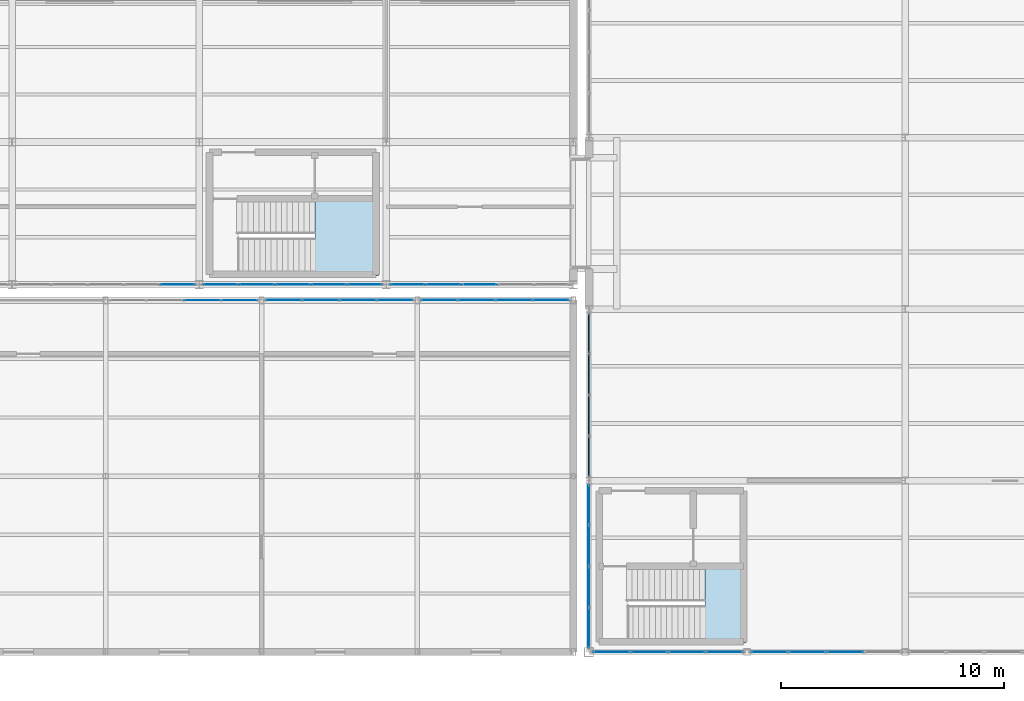
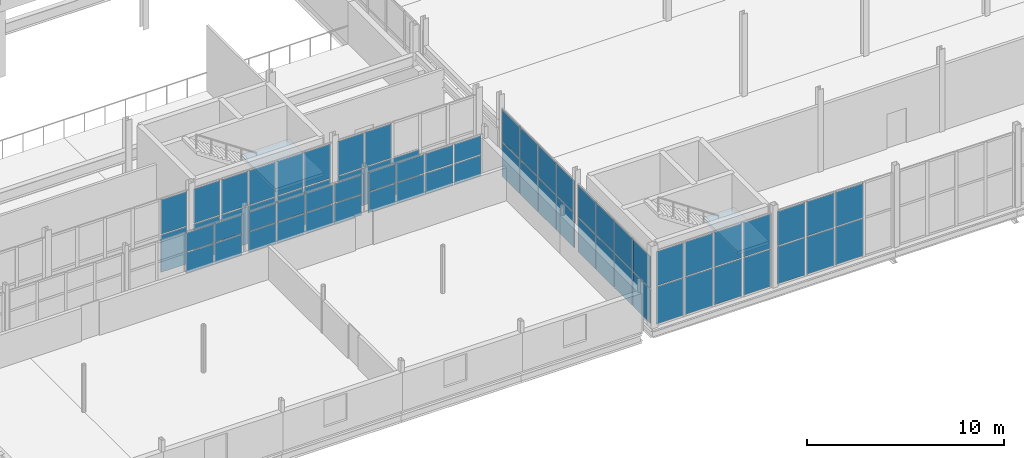
# One storey, part 186 of 218: 67 plates, 2 slabs, 12 elements without a shape of their own.
"""IFC4 building model written with IfcOpenShell, lengths in metres."""

from ifc_helpers import new_model, si_unit, direction, frame, origin, origin_2d, place, context, subcontext, project, spatial, polyline, rectangle, outline, extrude, material, layer, layer_set, type_object, element, aggregate, save


model = new_model("IFC4")

# Units and contexts
model_context = context("Model", 3, precision=1e-05, world=origin(), true_north=direction((0.0, 1.0)))
body_context = subcontext(model_context, "Body", "Model", "MODEL_VIEW")
ifc_project = project(units=[si_unit("LENGTHUNIT", "METRE"), si_unit("AREAUNIT", "SQUARE_METRE"), si_unit("VOLUMEUNIT", "CUBIC_METRE"), si_unit("PLANEANGLEUNIT", "RADIAN"), si_unit("MASSUNIT", "GRAM", prefix="KILO")], contexts=[model_context])

# Site, building, storey
site_placement = place(None, origin())
site = spatial("IfcSite", under=ifc_project, at=site_placement, CompositionType="ELEMENT")
building_placement = place(site_placement, origin())
building = spatial("IfcBuilding", under=site, at=building_placement, Name="Kazenagashi Tramway Depot", CompositionType="ELEMENT")
storey_placement = place(building_placement, frame((0.0, 0.0, 6.0)))
storey = spatial("IfcBuildingStorey", under=building, at=storey_placement, Name="L02", CompositionType="ELEMENT", Elevation=6.0)

# Curtain wall, plates
ifc_material_1 = material(Name="Anodised Aluminium and Low-E Glazing", Category="aluminium")
curtain_wall_type_1 = type_object("IfcCurtainWallType", Name="CW-32", PredefinedType="USERDEFINED", material=ifc_material_1)
curtain_wall_1_placement = place(storey_placement, origin())
curtain_wall_1 = element("IfcCurtainWall", 1, at=curtain_wall_1_placement, inside=storey, type_object=curtain_wall_type_1, Name="Industrial Glazed Screen CW-32 CW-0177", ObjectType="GLAZED SCREEN", PredefinedType="USERDEFINED")
ifc_material_2 = material(Name="Tempered Laminated Low-E Glass", Category="glass")
ifc_layer_1 = layer(ifc_material_2, 0.016)
ifc_layer_set_1 = layer_set([ifc_layer_1], Name="Tempered Laminated Low-E Glass")
plate_type_1 = type_object("IfcPlateType", Name="GL-01", PredefinedType="CURTAIN_PANEL", material=ifc_layer_set_1)
plate_1_placement = place(storey_placement, frame((128.94, 15.8, 0.06), z_axis=(0.0, 0.0, 1.0), x_axis=(1.0, 0.0, 0.0)))
plate_1 = element("IfcPlate", 2, at=plate_1_placement, type_object=plate_type_1, Name="CW-32 panel 3.1", PredefinedType="CURTAIN_PANEL", context=body_context, shape_type="SweptSolid", body=[
    extrude(rectangle(XDim=1.62, YDim=0.016, at=origin_2d()), origin(), (0.0, 0.0, 1.0), 1.262),
])
plate_2_placement = place(storey_placement, frame((128.94, 15.8, 1.382), z_axis=(0.0, 0.0, 1.0), x_axis=(1.0, 0.0, 0.0)))
plate_2 = element("IfcPlate", 3, at=plate_2_placement, type_object=plate_type_1, Name="CW-32 panel 3.2", PredefinedType="CURTAIN_PANEL", context=body_context, shape_type="SweptSolid", body=[
    extrude(rectangle(XDim=1.62, YDim=0.016, at=origin_2d()), origin(), (0.0, 0.0, 1.0), 1.158),
])
plate_3_placement = place(storey_placement, frame((130.605, 15.8, 0.06), z_axis=(0.0, 0.0, 1.0), x_axis=(1.0, 0.0, 0.0)))
plate_3 = element("IfcPlate", 4, at=plate_3_placement, type_object=plate_type_1, Name="CW-32 panel 4.1", PredefinedType="CURTAIN_PANEL", context=body_context, shape_type="SweptSolid", body=[
    extrude(rectangle(XDim=1.59, YDim=0.016, at=origin_2d()), origin(), (0.0, 0.0, 1.0), 1.262),
])
plate_4_placement = place(storey_placement, frame((130.605, 15.8, 1.382), z_axis=(0.0, 0.0, 1.0), x_axis=(1.0, 0.0, 0.0)))
plate_4 = element("IfcPlate", 5, at=plate_4_placement, type_object=plate_type_1, Name="CW-32 panel 4.2", PredefinedType="CURTAIN_PANEL", context=body_context, shape_type="SweptSolid", body=[
    extrude(rectangle(XDim=1.59, YDim=0.016, at=origin_2d()), origin(), (0.0, 0.0, 1.0), 1.158),
])
aggregate(curtain_wall_1, [plate_1, plate_2, plate_3, plate_4])

curtain_wall_2_placement = place(storey_placement, origin())
curtain_wall_2 = element("IfcCurtainWall", 6, at=curtain_wall_2_placement, inside=storey, type_object=curtain_wall_type_1, Name="Industrial Glazed Screen CW-32 CW-0178", ObjectType="GLAZED SCREEN", PredefinedType="USERDEFINED")
ifc_layer_2 = layer(ifc_material_2, 0.018)
ifc_layer_set_2 = layer_set([ifc_layer_2], Name="Tempered Laminated Low-E Glass")
plate_type_2 = type_object("IfcPlateType", Name="GL-02", PredefinedType="CURTAIN_PANEL", material=ifc_layer_set_2)
plate_5_placement = place(storey_placement, frame((132.595, 15.8, 0.06), z_axis=(0.0, 0.0, 1.0), x_axis=(1.0, 0.0, 0.0)))
plate_5 = element("IfcPlate", 7, at=plate_5_placement, type_object=plate_type_2, Name="CW-32 panel 1.1", PredefinedType="CURTAIN_PANEL", context=body_context, shape_type="SweptSolid", body=[
    extrude(rectangle(XDim=1.59, YDim=0.018, at=origin_2d()), origin(), (0.0, 0.0, 1.0), 1.262),
])
plate_6_placement = place(storey_placement, frame((132.595, 15.8, 1.382), z_axis=(0.0, 0.0, 1.0), x_axis=(1.0, 0.0, 0.0)))
plate_6 = element("IfcPlate", 8, at=plate_6_placement, type_object=plate_type_2, Name="CW-32 panel 1.2", PredefinedType="CURTAIN_PANEL", context=body_context, shape_type="SweptSolid", body=[
    extrude(rectangle(XDim=1.59, YDim=0.018, at=origin_2d()), origin(), (0.0, 0.0, 1.0), 1.158),
])
plate_7_placement = place(storey_placement, frame((134.26, 15.8, 0.06), z_axis=(0.0, 0.0, 1.0), x_axis=(1.0, 0.0, 0.0)))
plate_7 = element("IfcPlate", 9, at=plate_7_placement, type_object=plate_type_2, Name="CW-32 panel 2.1", PredefinedType="CURTAIN_PANEL", context=body_context, shape_type="SweptSolid", body=[
    extrude(rectangle(XDim=1.62, YDim=0.018, at=origin_2d()), origin(), (0.0, 0.0, 1.0), 1.262),
])
plate_8_placement = place(storey_placement, frame((134.26, 15.8, 1.382), z_axis=(0.0, 0.0, 1.0), x_axis=(1.0, 0.0, 0.0)))
plate_8 = element("IfcPlate", 10, at=plate_8_placement, type_object=plate_type_2, Name="CW-32 panel 2.2", PredefinedType="CURTAIN_PANEL", context=body_context, shape_type="SweptSolid", body=[
    extrude(rectangle(XDim=1.62, YDim=0.018, at=origin_2d()), origin(), (0.0, 0.0, 1.0), 1.158),
])
plate_9_placement = place(storey_placement, frame((135.94, 15.8, 0.06), z_axis=(0.0, 0.0, 1.0), x_axis=(1.0, 0.0, 0.0)))
plate_9 = element("IfcPlate", 11, at=plate_9_placement, type_object=plate_type_2, Name="CW-32 panel 3.1", PredefinedType="CURTAIN_PANEL", context=body_context, shape_type="SweptSolid", body=[
    extrude(rectangle(XDim=1.62, YDim=0.018, at=origin_2d()), origin(), (0.0, 0.0, 1.0), 1.262),
])
plate_10_placement = place(storey_placement, frame((135.94, 15.8, 1.382), z_axis=(0.0, 0.0, 1.0), x_axis=(1.0, 0.0, 0.0)))
plate_10 = element("IfcPlate", 12, at=plate_10_placement, type_object=plate_type_2, Name="CW-32 panel 3.2", PredefinedType="CURTAIN_PANEL", context=body_context, shape_type="SweptSolid", body=[
    extrude(rectangle(XDim=1.62, YDim=0.018, at=origin_2d()), origin(), (0.0, 0.0, 1.0), 1.158),
])
plate_11_placement = place(storey_placement, frame((137.605, 15.8, 0.06), z_axis=(0.0, 0.0, 1.0), x_axis=(1.0, 0.0, 0.0)))
plate_11 = element("IfcPlate", 13, at=plate_11_placement, type_object=plate_type_2, Name="CW-32 panel 4.1", PredefinedType="CURTAIN_PANEL", context=body_context, shape_type="SweptSolid", body=[
    extrude(rectangle(XDim=1.59, YDim=0.018, at=origin_2d()), origin(), (0.0, 0.0, 1.0), 1.262),
])
plate_12_placement = place(storey_placement, frame((137.605, 15.8, 1.382), z_axis=(0.0, 0.0, 1.0), x_axis=(1.0, 0.0, 0.0)))
plate_12 = element("IfcPlate", 14, at=plate_12_placement, type_object=plate_type_2, Name="CW-32 panel 4.2", PredefinedType="CURTAIN_PANEL", context=body_context, shape_type="SweptSolid", body=[
    extrude(rectangle(XDim=1.59, YDim=0.018, at=origin_2d()), origin(), (0.0, 0.0, 1.0), 1.158),
])
aggregate(curtain_wall_2, [plate_5, plate_6, plate_7, plate_8, plate_9, plate_10, plate_11, plate_12])

curtain_wall_3_placement = place(storey_placement, origin())
curtain_wall_3 = element("IfcCurtainWall", 15, at=curtain_wall_3_placement, inside=storey, type_object=curtain_wall_type_1, Name="Industrial Glazed Screen CW-32 CW-0179", ObjectType="GLAZED SCREEN", PredefinedType="USERDEFINED")
ifc_layer_3 = layer(ifc_material_2, 0.02)
ifc_layer_set_3 = layer_set([ifc_layer_3], Name="Tempered Laminated Low-E Glass")
plate_type_3 = type_object("IfcPlateType", Name="GL-03", PredefinedType="CURTAIN_PANEL", material=ifc_layer_set_3)
plate_13_placement = place(storey_placement, frame((139.595, 15.8, 0.06), z_axis=(0.0, 0.0, 1.0), x_axis=(1.0, 0.0, 0.0)))
plate_13 = element("IfcPlate", 16, at=plate_13_placement, type_object=plate_type_3, Name="CW-32 panel 1.1", PredefinedType="CURTAIN_PANEL", context=body_context, shape_type="SweptSolid", body=[
    extrude(rectangle(XDim=1.59, YDim=0.02, at=origin_2d()), origin(), (0.0, 0.0, 1.0), 1.262),
])
plate_14_placement = place(storey_placement, frame((139.595, 15.8, 1.382), z_axis=(0.0, 0.0, 1.0), x_axis=(1.0, 0.0, 0.0)))
plate_14 = element("IfcPlate", 17, at=plate_14_placement, type_object=plate_type_3, Name="CW-32 panel 1.2", PredefinedType="CURTAIN_PANEL", context=body_context, shape_type="SweptSolid", body=[
    extrude(rectangle(XDim=1.59, YDim=0.02, at=origin_2d()), origin(), (0.0, 0.0, 1.0), 1.158),
])
plate_15_placement = place(storey_placement, frame((141.26, 15.8, 0.06), z_axis=(0.0, 0.0, 1.0), x_axis=(1.0, 0.0, 0.0)))
plate_15 = element("IfcPlate", 18, at=plate_15_placement, type_object=plate_type_3, Name="CW-32 panel 2.1", PredefinedType="CURTAIN_PANEL", context=body_context, shape_type="SweptSolid", body=[
    extrude(rectangle(XDim=1.62, YDim=0.02, at=origin_2d()), origin(), (0.0, 0.0, 1.0), 1.262),
])
plate_16_placement = place(storey_placement, frame((141.26, 15.8, 1.382), z_axis=(0.0, 0.0, 1.0), x_axis=(1.0, 0.0, 0.0)))
plate_16 = element("IfcPlate", 19, at=plate_16_placement, type_object=plate_type_3, Name="CW-32 panel 2.2", PredefinedType="CURTAIN_PANEL", context=body_context, shape_type="SweptSolid", body=[
    extrude(rectangle(XDim=1.62, YDim=0.02, at=origin_2d()), origin(), (0.0, 0.0, 1.0), 1.158),
])
plate_17_placement = place(storey_placement, frame((142.94, 15.8, 0.06), z_axis=(0.0, 0.0, 1.0), x_axis=(1.0, 0.0, 0.0)))
plate_17 = element("IfcPlate", 20, at=plate_17_placement, type_object=plate_type_3, Name="CW-32 panel 3.1", PredefinedType="CURTAIN_PANEL", context=body_context, shape_type="SweptSolid", body=[
    extrude(rectangle(XDim=1.62, YDim=0.02, at=origin_2d()), origin(), (0.0, 0.0, 1.0), 1.262),
])
plate_18_placement = place(storey_placement, frame((142.94, 15.8, 1.382), z_axis=(0.0, 0.0, 1.0), x_axis=(1.0, 0.0, 0.0)))
plate_18 = element("IfcPlate", 21, at=plate_18_placement, type_object=plate_type_3, Name="CW-32 panel 3.2", PredefinedType="CURTAIN_PANEL", context=body_context, shape_type="SweptSolid", body=[
    extrude(rectangle(XDim=1.62, YDim=0.02, at=origin_2d()), origin(), (0.0, 0.0, 1.0), 1.158),
])
plate_19_placement = place(storey_placement, frame((144.605, 15.8, 0.06), z_axis=(0.0, 0.0, 1.0), x_axis=(1.0, 0.0, 0.0)))
plate_19 = element("IfcPlate", 22, at=plate_19_placement, type_object=plate_type_3, Name="CW-32 panel 4.1", PredefinedType="CURTAIN_PANEL", context=body_context, shape_type="SweptSolid", body=[
    extrude(rectangle(XDim=1.59, YDim=0.02, at=origin_2d()), origin(), (0.0, 0.0, 1.0), 1.262),
])
plate_20_placement = place(storey_placement, frame((144.605, 15.8, 1.382), z_axis=(0.0, 0.0, 1.0), x_axis=(1.0, 0.0, 0.0)))
plate_20 = element("IfcPlate", 23, at=plate_20_placement, type_object=plate_type_3, Name="CW-32 panel 4.2", PredefinedType="CURTAIN_PANEL", context=body_context, shape_type="SweptSolid", body=[
    extrude(rectangle(XDim=1.59, YDim=0.02, at=origin_2d()), origin(), (0.0, 0.0, 1.0), 1.158),
])
aggregate(curtain_wall_3, [plate_13, plate_14, plate_15, plate_16, plate_17, plate_18, plate_19, plate_20])

curtain_wall_type_2 = type_object("IfcCurtainWallType", Name="CW-22", PredefinedType="USERDEFINED", material=ifc_material_1)
curtain_wall_4_placement = place(storey_placement, origin())
curtain_wall_4 = element("IfcCurtainWall", 24, at=curtain_wall_4_placement, inside=storey, type_object=curtain_wall_type_2, Name="Industrial Glazed Screen CW-22 CW-0119", ObjectType="GLAZED SCREEN", PredefinedType="USERDEFINED")
ifc_layer_4 = layer(ifc_material_2, 0.028)
ifc_layer_set_4 = layer_set([ifc_layer_4], Name="Tempered Laminated Low-E Glass")
plate_type_4 = type_object("IfcPlateType", Name="GL-07", PredefinedType="CURTAIN_PANEL", material=ifc_layer_set_4)
plate_21_placement = place(storey_placement, frame((147.3075, 0.0, 0.06), z_axis=(0.0, 0.0, 1.0), x_axis=(1.0, 0.0, 0.0)))
plate_21 = element("IfcPlate", 25, at=plate_21_placement, type_object=plate_type_4, Name="CW-22 panel 1.1", PredefinedType="CURTAIN_PANEL", context=body_context, shape_type="SweptSolid", body=[
    extrude(rectangle(XDim=1.615, YDim=0.028, at=origin_2d()), origin(), (0.0, 0.0, 1.0), 2.302),
])
plate_22_placement = place(storey_placement, frame((147.3075, 0.0, 2.422), z_axis=(0.0, 0.0, 1.0), x_axis=(1.0, 0.0, 0.0)))
plate_22 = element("IfcPlate", 26, at=plate_22_placement, type_object=plate_type_4, Name="CW-22 panel 1.2", PredefinedType="CURTAIN_PANEL", context=body_context, shape_type="SweptSolid", body=[
    extrude(rectangle(XDim=1.615, YDim=0.028, at=origin_2d()), origin(), (0.0, 0.0, 1.0), 2.118),
])
plate_23_placement = place(storey_placement, frame((148.9975, 0.0, 0.06), z_axis=(0.0, 0.0, 1.0), x_axis=(1.0, 0.0, 0.0)))
plate_23 = element("IfcPlate", 27, at=plate_23_placement, type_object=plate_type_4, Name="CW-22 panel 2.1", PredefinedType="CURTAIN_PANEL", context=body_context, shape_type="SweptSolid", body=[
    extrude(rectangle(XDim=1.645, YDim=0.028, at=origin_2d()), origin(), (0.0, 0.0, 1.0), 2.302),
])
plate_24_placement = place(storey_placement, frame((148.9975, 0.0, 2.422), z_axis=(0.0, 0.0, 1.0), x_axis=(1.0, 0.0, 0.0)))
plate_24 = element("IfcPlate", 28, at=plate_24_placement, type_object=plate_type_4, Name="CW-22 panel 2.2", PredefinedType="CURTAIN_PANEL", context=body_context, shape_type="SweptSolid", body=[
    extrude(rectangle(XDim=1.645, YDim=0.028, at=origin_2d()), origin(), (0.0, 0.0, 1.0), 2.118),
])
plate_25_placement = place(storey_placement, frame((150.7025, 0.0, 0.06), z_axis=(0.0, 0.0, 1.0), x_axis=(1.0, 0.0, 0.0)))
plate_25 = element("IfcPlate", 29, at=plate_25_placement, type_object=plate_type_4, Name="CW-22 panel 3.1", PredefinedType="CURTAIN_PANEL", context=body_context, shape_type="SweptSolid", body=[
    extrude(rectangle(XDim=1.645, YDim=0.028, at=origin_2d()), origin(), (0.0, 0.0, 1.0), 2.302),
])
plate_26_placement = place(storey_placement, frame((150.7025, 0.0, 2.422), z_axis=(0.0, 0.0, 1.0), x_axis=(1.0, 0.0, 0.0)))
plate_26 = element("IfcPlate", 30, at=plate_26_placement, type_object=plate_type_4, Name="CW-22 panel 3.2", PredefinedType="CURTAIN_PANEL", context=body_context, shape_type="SweptSolid", body=[
    extrude(rectangle(XDim=1.645, YDim=0.028, at=origin_2d()), origin(), (0.0, 0.0, 1.0), 2.118),
])
plate_27_placement = place(storey_placement, frame((152.3925, 0.0, 0.06), z_axis=(0.0, 0.0, 1.0), x_axis=(1.0, 0.0, 0.0)))
plate_27 = element("IfcPlate", 31, at=plate_27_placement, type_object=plate_type_4, Name="CW-22 panel 4.1", PredefinedType="CURTAIN_PANEL", context=body_context, shape_type="SweptSolid", body=[
    extrude(rectangle(XDim=1.615, YDim=0.028, at=origin_2d()), origin(), (0.0, 0.0, 1.0), 2.302),
])
plate_28_placement = place(storey_placement, frame((152.3925, 0.0, 2.422), z_axis=(0.0, 0.0, 1.0), x_axis=(1.0, 0.0, 0.0)))
plate_28 = element("IfcPlate", 32, at=plate_28_placement, type_object=plate_type_4, Name="CW-22 panel 4.2", PredefinedType="CURTAIN_PANEL", context=body_context, shape_type="SweptSolid", body=[
    extrude(rectangle(XDim=1.615, YDim=0.028, at=origin_2d()), origin(), (0.0, 0.0, 1.0), 2.118),
])
aggregate(curtain_wall_4, [plate_21, plate_22, plate_23, plate_24, plate_25, plate_26, plate_27, plate_28])

curtain_wall_type_3 = type_object("IfcCurtainWallType", Name="CW-20", PredefinedType="USERDEFINED", material=ifc_material_1)
curtain_wall_5_placement = place(storey_placement, origin())
curtain_wall_5 = element("IfcCurtainWall", 33, at=curtain_wall_5_placement, inside=storey, type_object=curtain_wall_type_3, Name="Industrial Glazed Screen CW-20 CW-0104", ObjectType="GLAZED SCREEN", PredefinedType="USERDEFINED")
ifc_layer_5 = layer(ifc_material_2, 0.03)
ifc_layer_set_5 = layer_set([ifc_layer_5], Name="Tempered Laminated Low-E Glass")
plate_type_5 = type_object("IfcPlateType", Name="GL-08", PredefinedType="CURTAIN_PANEL", material=ifc_layer_set_5)
plate_29_placement = place(storey_placement, frame((127.833, 16.5, 0.06), z_axis=(0.0, 0.0, 1.0), x_axis=(1.0, 0.0, 0.0)))
plate_29 = element("IfcPlate", 34, at=plate_29_placement, type_object=plate_type_5, Name="CW-20 panel 5.1", PredefinedType="CURTAIN_PANEL", context=body_context, shape_type="SweptSolid", body=[
    extrude(rectangle(XDim=1.534, YDim=0.03, at=origin_2d()), origin(), (0.0, 0.0, 1.0), 2.302),
])
plate_30_placement = place(storey_placement, frame((127.833, 16.5, 2.422), z_axis=(0.0, 0.0, 1.0), x_axis=(1.0, 0.0, 0.0)))
plate_30 = element("IfcPlate", 35, at=plate_30_placement, type_object=plate_type_5, Name="CW-20 panel 5.2", PredefinedType="CURTAIN_PANEL", context=body_context, shape_type="SweptSolid", body=[
    extrude(rectangle(XDim=1.534, YDim=0.03, at=origin_2d()), origin(), (0.0, 0.0, 1.0), 2.118),
])
aggregate(curtain_wall_5, [plate_29, plate_30])

curtain_wall_6_placement = place(storey_placement, origin())
curtain_wall_6 = element("IfcCurtainWall", 36, at=curtain_wall_6_placement, inside=storey, type_object=curtain_wall_type_2, Name="Industrial Glazed Screen CW-22 CW-0120", ObjectType="GLAZED SCREEN", PredefinedType="USERDEFINED")
plate_31_placement = place(storey_placement, frame((154.4075, 0.0, 0.06), z_axis=(0.0, 0.0, 1.0), x_axis=(1.0, 0.0, 0.0)))
plate_31 = element("IfcPlate", 37, at=plate_31_placement, type_object=plate_type_5, Name="CW-22 panel 1.1", PredefinedType="CURTAIN_PANEL", context=body_context, shape_type="SweptSolid", body=[
    extrude(rectangle(XDim=1.615, YDim=0.03, at=origin_2d()), origin(), (0.0, 0.0, 1.0), 2.302),
])
plate_32_placement = place(storey_placement, frame((154.4075, 0.0, 2.422), z_axis=(0.0, 0.0, 1.0), x_axis=(1.0, 0.0, 0.0)))
plate_32 = element("IfcPlate", 38, at=plate_32_placement, type_object=plate_type_5, Name="CW-22 panel 1.2", PredefinedType="CURTAIN_PANEL", context=body_context, shape_type="SweptSolid", body=[
    extrude(rectangle(XDim=1.615, YDim=0.03, at=origin_2d()), origin(), (0.0, 0.0, 1.0), 2.118),
])
plate_33_placement = place(storey_placement, frame((156.0975, 0.0, 0.06), z_axis=(0.0, 0.0, 1.0), x_axis=(1.0, 0.0, 0.0)))
plate_33 = element("IfcPlate", 39, at=plate_33_placement, type_object=plate_type_5, Name="CW-22 panel 2.1", PredefinedType="CURTAIN_PANEL", context=body_context, shape_type="SweptSolid", body=[
    extrude(rectangle(XDim=1.645, YDim=0.03, at=origin_2d()), origin(), (0.0, 0.0, 1.0), 2.302),
])
plate_34_placement = place(storey_placement, frame((156.0975, 0.0, 2.422), z_axis=(0.0, 0.0, 1.0), x_axis=(1.0, 0.0, 0.0)))
plate_34 = element("IfcPlate", 40, at=plate_34_placement, type_object=plate_type_5, Name="CW-22 panel 2.2", PredefinedType="CURTAIN_PANEL", context=body_context, shape_type="SweptSolid", body=[
    extrude(rectangle(XDim=1.645, YDim=0.03, at=origin_2d()), origin(), (0.0, 0.0, 1.0), 2.118),
])
plate_35_placement = place(storey_placement, frame((157.8025, 0.0, 0.06), z_axis=(0.0, 0.0, 1.0), x_axis=(1.0, 0.0, 0.0)))
plate_35 = element("IfcPlate", 41, at=plate_35_placement, type_object=plate_type_5, Name="CW-22 panel 3.1", PredefinedType="CURTAIN_PANEL", context=body_context, shape_type="SweptSolid", body=[
    extrude(rectangle(XDim=1.645, YDim=0.03, at=origin_2d()), origin(), (0.0, 0.0, 1.0), 2.302),
])
plate_36_placement = place(storey_placement, frame((157.8025, 0.0, 2.422), z_axis=(0.0, 0.0, 1.0), x_axis=(1.0, 0.0, 0.0)))
plate_36 = element("IfcPlate", 42, at=plate_36_placement, type_object=plate_type_5, Name="CW-22 panel 3.2", PredefinedType="CURTAIN_PANEL", context=body_context, shape_type="SweptSolid", body=[
    extrude(rectangle(XDim=1.645, YDim=0.03, at=origin_2d()), origin(), (0.0, 0.0, 1.0), 2.118),
])
aggregate(curtain_wall_6, [plate_31, plate_32, plate_33, plate_34, plate_35, plate_36])

curtain_wall_7_placement = place(storey_placement, origin())
curtain_wall_7 = element("IfcCurtainWall", 43, at=curtain_wall_7_placement, inside=storey, type_object=curtain_wall_type_3, Name="Industrial Glazed Screen CW-20 CW-0105", ObjectType="GLAZED SCREEN", PredefinedType="USERDEFINED")
ifc_layer_6 = layer(ifc_material_2, 0.032)
ifc_layer_set_6 = layer_set([ifc_layer_6], Name="Tempered Laminated Low-E Glass")
plate_type_6 = type_object("IfcPlateType", Name="GL-09", PredefinedType="CURTAIN_PANEL", material=ifc_layer_set_6)
plate_37_placement = place(storey_placement, frame((129.767, 16.5, 0.06), z_axis=(0.0, 0.0, 1.0), x_axis=(1.0, 0.0, 0.0)))
plate_37 = element("IfcPlate", 44, at=plate_37_placement, type_object=plate_type_6, Name="CW-20 panel 1.1", PredefinedType="CURTAIN_PANEL", context=body_context, shape_type="SweptSolid", body=[
    extrude(rectangle(XDim=1.534, YDim=0.032, at=origin_2d()), origin(), (0.0, 0.0, 1.0), 2.302),
])
plate_38_placement = place(storey_placement, frame((129.767, 16.5, 2.422), z_axis=(0.0, 0.0, 1.0), x_axis=(1.0, 0.0, 0.0)))
plate_38 = element("IfcPlate", 45, at=plate_38_placement, type_object=plate_type_6, Name="CW-20 panel 1.2", PredefinedType="CURTAIN_PANEL", context=body_context, shape_type="SweptSolid", body=[
    extrude(rectangle(XDim=1.534, YDim=0.032, at=origin_2d()), origin(), (0.0, 0.0, 1.0), 2.118),
])
plate_39_placement = place(storey_placement, frame((131.376, 16.5, 0.06), z_axis=(0.0, 0.0, 1.0), x_axis=(1.0, 0.0, 0.0)))
plate_39 = element("IfcPlate", 46, at=plate_39_placement, type_object=plate_type_6, Name="CW-20 panel 2.1", PredefinedType="CURTAIN_PANEL", context=body_context, shape_type="SweptSolid", body=[
    extrude(rectangle(XDim=1.564, YDim=0.032, at=origin_2d()), origin(), (0.0, 0.0, 1.0), 2.302),
])
plate_40_placement = place(storey_placement, frame((131.376, 16.5, 2.422), z_axis=(0.0, 0.0, 1.0), x_axis=(1.0, 0.0, 0.0)))
plate_40 = element("IfcPlate", 47, at=plate_40_placement, type_object=plate_type_6, Name="CW-20 panel 2.2", PredefinedType="CURTAIN_PANEL", context=body_context, shape_type="SweptSolid", body=[
    extrude(rectangle(XDim=1.564, YDim=0.032, at=origin_2d()), origin(), (0.0, 0.0, 1.0), 2.118),
])
plate_41_placement = place(storey_placement, frame((133.0, 16.5, 0.06), z_axis=(0.0, 0.0, 1.0), x_axis=(1.0, 0.0, 0.0)))
plate_41 = element("IfcPlate", 48, at=plate_41_placement, type_object=plate_type_6, Name="CW-20 panel 3.1", PredefinedType="CURTAIN_PANEL", context=body_context, shape_type="SweptSolid", body=[
    extrude(rectangle(XDim=1.564, YDim=0.032, at=origin_2d()), origin(), (0.0, 0.0, 1.0), 2.302),
])
plate_42_placement = place(storey_placement, frame((133.0, 16.5, 2.422), z_axis=(0.0, 0.0, 1.0), x_axis=(1.0, 0.0, 0.0)))
plate_42 = element("IfcPlate", 49, at=plate_42_placement, type_object=plate_type_6, Name="CW-20 panel 3.2", PredefinedType="CURTAIN_PANEL", context=body_context, shape_type="SweptSolid", body=[
    extrude(rectangle(XDim=1.564, YDim=0.032, at=origin_2d()), origin(), (0.0, 0.0, 1.0), 2.118),
])
plate_43_placement = place(storey_placement, frame((134.624, 16.5, 0.06), z_axis=(0.0, 0.0, 1.0), x_axis=(1.0, 0.0, 0.0)))
plate_43 = element("IfcPlate", 50, at=plate_43_placement, type_object=plate_type_6, Name="CW-20 panel 4.1", PredefinedType="CURTAIN_PANEL", context=body_context, shape_type="SweptSolid", body=[
    extrude(rectangle(XDim=1.564, YDim=0.032, at=origin_2d()), origin(), (0.0, 0.0, 1.0), 2.302),
])
plate_44_placement = place(storey_placement, frame((134.624, 16.5, 2.422), z_axis=(0.0, 0.0, 1.0), x_axis=(1.0, 0.0, 0.0)))
plate_44 = element("IfcPlate", 51, at=plate_44_placement, type_object=plate_type_6, Name="CW-20 panel 4.2", PredefinedType="CURTAIN_PANEL", context=body_context, shape_type="SweptSolid", body=[
    extrude(rectangle(XDim=1.564, YDim=0.032, at=origin_2d()), origin(), (0.0, 0.0, 1.0), 2.118),
])
plate_45_placement = place(storey_placement, frame((136.233, 16.5, 0.06), z_axis=(0.0, 0.0, 1.0), x_axis=(1.0, 0.0, 0.0)))
plate_45 = element("IfcPlate", 52, at=plate_45_placement, type_object=plate_type_6, Name="CW-20 panel 5.1", PredefinedType="CURTAIN_PANEL", context=body_context, shape_type="SweptSolid", body=[
    extrude(rectangle(XDim=1.534, YDim=0.032, at=origin_2d()), origin(), (0.0, 0.0, 1.0), 2.302),
])
plate_46_placement = place(storey_placement, frame((136.233, 16.5, 2.422), z_axis=(0.0, 0.0, 1.0), x_axis=(1.0, 0.0, 0.0)))
plate_46 = element("IfcPlate", 53, at=plate_46_placement, type_object=plate_type_6, Name="CW-20 panel 5.2", PredefinedType="CURTAIN_PANEL", context=body_context, shape_type="SweptSolid", body=[
    extrude(rectangle(XDim=1.534, YDim=0.032, at=origin_2d()), origin(), (0.0, 0.0, 1.0), 2.118),
])
aggregate(curtain_wall_7, [plate_37, plate_38, plate_39, plate_40, plate_41, plate_42, plate_43, plate_44, plate_45, plate_46])

curtain_wall_8_placement = place(storey_placement, origin())
curtain_wall_8 = element("IfcCurtainWall", 54, at=curtain_wall_8_placement, inside=storey, type_object=curtain_wall_type_3, Name="Industrial Glazed Screen CW-20 CW-0106", ObjectType="GLAZED SCREEN", PredefinedType="USERDEFINED")
ifc_layer_7 = layer(ifc_material_2, 0.034)
ifc_layer_set_7 = layer_set([ifc_layer_7], Name="Tempered Laminated Low-E Glass")
plate_type_7 = type_object("IfcPlateType", Name="GL-10", PredefinedType="CURTAIN_PANEL", material=ifc_layer_set_7)
plate_47_placement = place(storey_placement, frame((138.167, 16.5, 0.06), z_axis=(0.0, 0.0, 1.0), x_axis=(1.0, 0.0, 0.0)))
plate_47 = element("IfcPlate", 55, at=plate_47_placement, type_object=plate_type_7, Name="CW-20 panel 1.1", PredefinedType="CURTAIN_PANEL", context=body_context, shape_type="SweptSolid", body=[
    extrude(rectangle(XDim=1.534, YDim=0.034, at=origin_2d()), origin(), (0.0, 0.0, 1.0), 2.302),
])
plate_48_placement = place(storey_placement, frame((138.167, 16.5, 2.422), z_axis=(0.0, 0.0, 1.0), x_axis=(1.0, 0.0, 0.0)))
plate_48 = element("IfcPlate", 56, at=plate_48_placement, type_object=plate_type_7, Name="CW-20 panel 1.2", PredefinedType="CURTAIN_PANEL", context=body_context, shape_type="SweptSolid", body=[
    extrude(rectangle(XDim=1.534, YDim=0.034, at=origin_2d()), origin(), (0.0, 0.0, 1.0), 2.118),
])
plate_49_placement = place(storey_placement, frame((139.776, 16.5, 0.06), z_axis=(0.0, 0.0, 1.0), x_axis=(1.0, 0.0, 0.0)))
plate_49 = element("IfcPlate", 57, at=plate_49_placement, type_object=plate_type_7, Name="CW-20 panel 2.1", PredefinedType="CURTAIN_PANEL", context=body_context, shape_type="SweptSolid", body=[
    extrude(rectangle(XDim=1.564, YDim=0.034, at=origin_2d()), origin(), (0.0, 0.0, 1.0), 2.302),
])
plate_50_placement = place(storey_placement, frame((139.776, 16.5, 2.422), z_axis=(0.0, 0.0, 1.0), x_axis=(1.0, 0.0, 0.0)))
plate_50 = element("IfcPlate", 58, at=plate_50_placement, type_object=plate_type_7, Name="CW-20 panel 2.2", PredefinedType="CURTAIN_PANEL", context=body_context, shape_type="SweptSolid", body=[
    extrude(rectangle(XDim=1.564, YDim=0.034, at=origin_2d()), origin(), (0.0, 0.0, 1.0), 2.118),
])
plate_51_placement = place(storey_placement, frame((141.4, 16.5, 0.06), z_axis=(0.0, 0.0, 1.0), x_axis=(1.0, 0.0, 0.0)))
plate_51 = element("IfcPlate", 59, at=plate_51_placement, type_object=plate_type_7, Name="CW-20 panel 3.1", PredefinedType="CURTAIN_PANEL", context=body_context, shape_type="SweptSolid", body=[
    extrude(rectangle(XDim=1.564, YDim=0.034, at=origin_2d()), origin(), (0.0, 0.0, 1.0), 2.302),
])
aggregate(curtain_wall_8, [plate_47, plate_48, plate_49, plate_50, plate_51])

curtain_wall_type_4 = type_object("IfcCurtainWallType", Name="CW-31", PredefinedType="USERDEFINED", material=ifc_material_1)
curtain_wall_9_placement = place(storey_placement, origin())
curtain_wall_9 = element("IfcCurtainWall", 60, at=curtain_wall_9_placement, inside=storey, type_object=curtain_wall_type_4, Name="Industrial Glazed Screen CW-31 CW-0158", ObjectType="GLAZED SCREEN", PredefinedType="USERDEFINED")
ifc_layer_8 = layer(ifc_material_2, 0.042)
ifc_layer_set_8 = layer_set([ifc_layer_8], Name="Tempered Laminated Low-E Glass")
plate_type_8 = type_object("IfcPlateType", Name="GL-14", PredefinedType="CURTAIN_PANEL", material=ifc_layer_set_8)
plate_52_placement = place(storey_placement, frame((146.3, 1.0825, 0.06), z_axis=(0.0, 0.0, 1.0), x_axis=(0.0, 1.0, 0.0)))
plate_52 = element("IfcPlate", 61, at=plate_52_placement, type_object=plate_type_8, Name="CW-31 panel 1.1", PredefinedType="CURTAIN_PANEL", context=body_context, shape_type="SweptSolid", body=[
    extrude(rectangle(XDim=1.765, YDim=0.042, at=origin_2d()), origin(), (0.0, 0.0, 1.0), 2.12),
])
plate_53_placement = place(storey_placement, frame((146.3, 1.0825, 2.24), z_axis=(0.0, 0.0, 1.0), x_axis=(0.0, 1.0, 0.0)))
plate_53 = element("IfcPlate", 62, at=plate_53_placement, type_object=plate_type_8, Name="CW-31 panel 1.2", PredefinedType="CURTAIN_PANEL", context=body_context, shape_type="SweptSolid", body=[
    extrude(rectangle(XDim=1.765, YDim=0.042, at=origin_2d()), origin(), (0.0, 0.0, 1.0), 1.95),
])
plate_54_placement = place(storey_placement, frame((146.3, 2.9225, 0.06), z_axis=(0.0, 0.0, 1.0), x_axis=(0.0, 1.0, 0.0)))
plate_54 = element("IfcPlate", 63, at=plate_54_placement, type_object=plate_type_8, Name="CW-31 panel 2.1", PredefinedType="CURTAIN_PANEL", context=body_context, shape_type="SweptSolid", body=[
    extrude(rectangle(XDim=1.795, YDim=0.042, at=origin_2d()), origin(), (0.0, 0.0, 1.0), 2.12),
])
plate_55_placement = place(storey_placement, frame((146.3, 2.9225, 2.24), z_axis=(0.0, 0.0, 1.0), x_axis=(0.0, 1.0, 0.0)))
plate_55 = element("IfcPlate", 64, at=plate_55_placement, type_object=plate_type_8, Name="CW-31 panel 2.2", PredefinedType="CURTAIN_PANEL", context=body_context, shape_type="SweptSolid", body=[
    extrude(rectangle(XDim=1.795, YDim=0.042, at=origin_2d()), origin(), (0.0, 0.0, 1.0), 1.95),
])
plate_56_placement = place(storey_placement, frame((146.3, 4.7775, 0.06), z_axis=(0.0, 0.0, 1.0), x_axis=(0.0, 1.0, 0.0)))
plate_56 = element("IfcPlate", 65, at=plate_56_placement, type_object=plate_type_8, Name="CW-31 panel 3.1", PredefinedType="CURTAIN_PANEL", context=body_context, shape_type="SweptSolid", body=[
    extrude(rectangle(XDim=1.795, YDim=0.042, at=origin_2d()), origin(), (0.0, 0.0, 1.0), 2.12),
])
plate_57_placement = place(storey_placement, frame((146.3, 4.7775, 2.24), z_axis=(0.0, 0.0, 1.0), x_axis=(0.0, 1.0, 0.0)))
plate_57 = element("IfcPlate", 66, at=plate_57_placement, type_object=plate_type_8, Name="CW-31 panel 3.2", PredefinedType="CURTAIN_PANEL", context=body_context, shape_type="SweptSolid", body=[
    extrude(rectangle(XDim=1.795, YDim=0.042, at=origin_2d()), origin(), (0.0, 0.0, 1.0), 1.95),
])
plate_58_placement = place(storey_placement, frame((146.3, 6.6175, 0.06), z_axis=(0.0, 0.0, 1.0), x_axis=(0.0, 1.0, 0.0)))
plate_58 = element("IfcPlate", 67, at=plate_58_placement, type_object=plate_type_8, Name="CW-31 panel 4.1", PredefinedType="CURTAIN_PANEL", context=body_context, shape_type="SweptSolid", body=[
    extrude(rectangle(XDim=1.765, YDim=0.042, at=origin_2d()), origin(), (0.0, 0.0, 1.0), 2.12),
])
plate_59_placement = place(storey_placement, frame((146.3, 6.6175, 2.24), z_axis=(0.0, 0.0, 1.0), x_axis=(0.0, 1.0, 0.0)))
plate_59 = element("IfcPlate", 68, at=plate_59_placement, type_object=plate_type_8, Name="CW-31 panel 4.2", PredefinedType="CURTAIN_PANEL", context=body_context, shape_type="SweptSolid", body=[
    extrude(rectangle(XDim=1.765, YDim=0.042, at=origin_2d()), origin(), (0.0, 0.0, 1.0), 1.95),
])
aggregate(curtain_wall_9, [plate_52, plate_53, plate_54, plate_55, plate_56, plate_57, plate_58, plate_59])

curtain_wall_10_placement = place(storey_placement, origin())
curtain_wall_10 = element("IfcCurtainWall", 69, at=curtain_wall_10_placement, inside=storey, type_object=curtain_wall_type_4, Name="Industrial Glazed Screen CW-31 CW-0160", ObjectType="GLAZED SCREEN", PredefinedType="USERDEFINED")
ifc_layer_9 = layer(ifc_material_2, 0.046)
ifc_layer_set_9 = layer_set([ifc_layer_9], Name="Tempered Laminated Low-E Glass")
plate_type_9 = type_object("IfcPlateType", Name="GL-16", PredefinedType="CURTAIN_PANEL", material=ifc_layer_set_9)
plate_60_placement = place(storey_placement, frame((146.3, 8.7825, 0.06), z_axis=(0.0, 0.0, 1.0), x_axis=(0.0, 1.0, 0.0)))
plate_60 = element("IfcPlate", 70, at=plate_60_placement, type_object=plate_type_9, Name="CW-31 panel 1.1", PredefinedType="CURTAIN_PANEL", context=body_context, shape_type="SweptSolid", body=[
    extrude(rectangle(XDim=1.765, YDim=0.046, at=origin_2d()), origin(), (0.0, 0.0, 1.0), 2.12),
])
plate_61_placement = place(storey_placement, frame((146.3, 8.7825, 2.24), z_axis=(0.0, 0.0, 1.0), x_axis=(0.0, 1.0, 0.0)))
plate_61 = element("IfcPlate", 71, at=plate_61_placement, type_object=plate_type_9, Name="CW-31 panel 1.2", PredefinedType="CURTAIN_PANEL", context=body_context, shape_type="SweptSolid", body=[
    extrude(rectangle(XDim=1.765, YDim=0.046, at=origin_2d()), origin(), (0.0, 0.0, 1.0), 1.95),
])
plate_62_placement = place(storey_placement, frame((146.3, 10.6225, 0.06), z_axis=(0.0, 0.0, 1.0), x_axis=(0.0, 1.0, 0.0)))
plate_62 = element("IfcPlate", 72, at=plate_62_placement, type_object=plate_type_9, Name="CW-31 panel 2.1", PredefinedType="CURTAIN_PANEL", context=body_context, shape_type="SweptSolid", body=[
    extrude(rectangle(XDim=1.795, YDim=0.046, at=origin_2d()), origin(), (0.0, 0.0, 1.0), 2.12),
])
plate_63_placement = place(storey_placement, frame((146.3, 10.6225, 2.24), z_axis=(0.0, 0.0, 1.0), x_axis=(0.0, 1.0, 0.0)))
plate_63 = element("IfcPlate", 73, at=plate_63_placement, type_object=plate_type_9, Name="CW-31 panel 2.2", PredefinedType="CURTAIN_PANEL", context=body_context, shape_type="SweptSolid", body=[
    extrude(rectangle(XDim=1.795, YDim=0.046, at=origin_2d()), origin(), (0.0, 0.0, 1.0), 1.95),
])
plate_64_placement = place(storey_placement, frame((146.3, 12.4775, 0.06), z_axis=(0.0, 0.0, 1.0), x_axis=(0.0, 1.0, 0.0)))
plate_64 = element("IfcPlate", 74, at=plate_64_placement, type_object=plate_type_9, Name="CW-31 panel 3.1", PredefinedType="CURTAIN_PANEL", context=body_context, shape_type="SweptSolid", body=[
    extrude(rectangle(XDim=1.795, YDim=0.046, at=origin_2d()), origin(), (0.0, 0.0, 1.0), 2.12),
])
plate_65_placement = place(storey_placement, frame((146.3, 12.4775, 2.24), z_axis=(0.0, 0.0, 1.0), x_axis=(0.0, 1.0, 0.0)))
plate_65 = element("IfcPlate", 75, at=plate_65_placement, type_object=plate_type_9, Name="CW-31 panel 3.2", PredefinedType="CURTAIN_PANEL", context=body_context, shape_type="SweptSolid", body=[
    extrude(rectangle(XDim=1.795, YDim=0.046, at=origin_2d()), origin(), (0.0, 0.0, 1.0), 1.95),
])
plate_66_placement = place(storey_placement, frame((146.3, 14.3175, 0.06), z_axis=(0.0, 0.0, 1.0), x_axis=(0.0, 1.0, 0.0)))
plate_66 = element("IfcPlate", 76, at=plate_66_placement, type_object=plate_type_9, Name="CW-31 panel 4.1", PredefinedType="CURTAIN_PANEL", context=body_context, shape_type="SweptSolid", body=[
    extrude(rectangle(XDim=1.765, YDim=0.046, at=origin_2d()), origin(), (0.0, 0.0, 1.0), 2.12),
])
plate_67_placement = place(storey_placement, frame((146.3, 14.3175, 2.24), z_axis=(0.0, 0.0, 1.0), x_axis=(0.0, 1.0, 0.0)))
plate_67 = element("IfcPlate", 77, at=plate_67_placement, type_object=plate_type_9, Name="CW-31 panel 4.2", PredefinedType="CURTAIN_PANEL", context=body_context, shape_type="SweptSolid", body=[
    extrude(rectangle(XDim=1.765, YDim=0.046, at=origin_2d()), origin(), (0.0, 0.0, 1.0), 1.95),
])
aggregate(curtain_wall_10, [plate_60, plate_61, plate_62, plate_63, plate_64, plate_65, plate_66, plate_67])

# Stair, slab
ifc_material_3 = material(Name="Concrete Fc36", Category="concrete")
stair_type = type_object("IfcStairType", Name="ST-T6", PredefinedType="USERDEFINED", material=ifc_material_3)
stair_1_placement = place(storey_placement, origin())
stair_1 = element("IfcStair", 78, at=stair_1_placement, inside=storey, type_object=stair_type, Name="Enclosed Escape Stair ST-21", ObjectType="TWO_RETURN_STAIR", PredefinedType="USERDEFINED")
ifc_layer_10 = layer(ifc_material_3, 0.195)
ifc_layer_set_10 = layer_set([ifc_layer_10], Name="Concrete Fc36")
slab_type = type_object("IfcSlabType", Name="SL-LD1", PredefinedType="LANDING", material=ifc_layer_set_10)
slab_1_placement = place(storey_placement, frame((0.0, 0.0, 2.355)))
slab_1 = element("IfcSlab", 79, at=slab_1_placement, type_object=slab_type, Name="ST-21 landing 1", PredefinedType="LANDING", context=body_context, shape_type="SweptSolid", body=[
    extrude(outline(polyline([(134.008, 16.91), (136.84, 16.91), (136.84, 20.4), (134.008, 20.4), (134.008, 16.91)])), origin(), (0.0, 0.0, 1.0), 0.195),
])
aggregate(stair_1, [slab_1])

stair_2_placement = place(storey_placement, origin())
stair_2 = element("IfcStair", 80, at=stair_2_placement, inside=storey, type_object=stair_type, Name="Enclosed Escape Stair ST-24", ObjectType="TWO_RETURN_STAIR", PredefinedType="USERDEFINED")
slab_2_placement = place(storey_placement, frame((0.0, 0.0, 2.355)))
slab_2 = element("IfcSlab", 81, at=slab_2_placement, type_object=slab_type, Name="ST-24 landing 1", PredefinedType="LANDING", context=body_context, shape_type="SweptSolid", body=[
    extrude(outline(polyline([(151.508, 0.41), (153.34, 0.41), (153.34, 3.9), (151.508, 3.9), (151.508, 0.41)])), origin(), (0.0, 0.0, 1.0), 0.195),
])
aggregate(stair_2, [slab_2])

save(model, "model.ifc")
